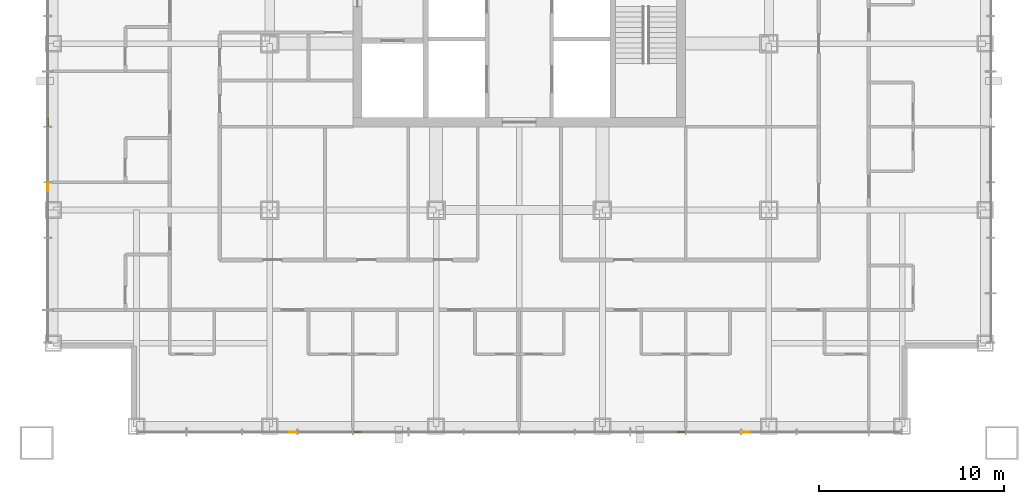
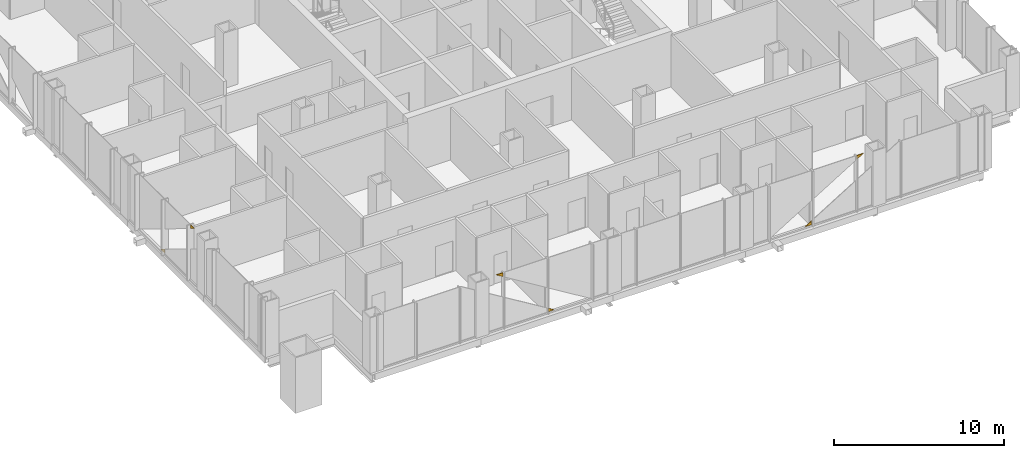
# One storey, part 14 of 17: 6 coverings.
"""IFC4 building model written with IfcOpenShell, lengths in metres."""

from ifc_helpers import new_model, si_unit, direction, frame, origin, place, context, subcontext, project, spatial, polyline, outline, extrude, material, layer, layer_set, type_object, element, save


model = new_model("IFC4")

# Units and contexts
model_context = context("Model", 3, precision=1e-05, world=origin(), true_north=direction((0.0, 1.0)))
body_context = subcontext(model_context, "Body", "Model", "MODEL_VIEW")
ifc_project = project(units=[si_unit("LENGTHUNIT", "METRE"), si_unit("AREAUNIT", "SQUARE_METRE"), si_unit("VOLUMEUNIT", "CUBIC_METRE"), si_unit("PLANEANGLEUNIT", "RADIAN"), si_unit("MASSUNIT", "GRAM", prefix="KILO")], contexts=[model_context])

# Site, building, storey
site_placement = place(None, origin())
site = spatial("IfcSite", under=ifc_project, at=site_placement, CompositionType="ELEMENT")
building_placement = place(site_placement, origin())
building = spatial("IfcBuilding", under=site, at=building_placement, Name="Malebo Sky Hospital", CompositionType="ELEMENT")
storey_placement = place(building_placement, frame((0.0, 0.0, 51.0)))
storey = spatial("IfcBuildingStorey", under=building, at=storey_placement, Name="L11", CompositionType="ELEMENT", Elevation=51.0)

# Coverings
ifc_material = material(Name="Anodised aluminium, natural silver insulated infill panel", Category="aluminium")
ifc_layer = layer(ifc_material, 0.0400390625)
ifc_layer_set = layer_set([ifc_layer], Name="BRACE INFILL PANEL 40")
covering_type = type_object("IfcCoveringType", Name="BRACE INFILL PANEL 40", PredefinedType="CLADDING", material=ifc_layer_set)
covering_1_placement = place(storey_placement, frame((34.5, 49.736572265625, 3.713134765625), z_axis=(0.0, 0.0, 1.0), x_axis=(0.0, 1.0, 0.0)))
element("IfcCovering", 1, at=covering_1_placement, inside=storey, type_object=covering_type, Name="Brace infill panel 3.1", PredefinedType="CLADDING", context=body_context, shape_type="SweptSolid", body=[
    extrude(outline(polyline([(0.225830078125, 0.0), (0.225830078125, 0.27685546875), (-0.225830078125, 0.27685546875), (0.225830078125, 0.0)])), frame((0.0, 0.02001953125, 0.0), z_axis=(0.0, -1.0, 0.0), x_axis=(1.0, 0.0, 0.0)), (0.0, 0.0, 1.0), 0.0400390625),
])
covering_2_placement = place(storey_placement, frame((34.5, 53.25, 0.10009765625), z_axis=(0.0, 0.0, 1.0), x_axis=(0.0, 1.0, 0.0)))
element("IfcCovering", 2, at=covering_2_placement, inside=storey, type_object=covering_type, Name="Brace infill panel 5.1", PredefinedType="CLADDING", context=body_context, shape_type="SweptSolid", body=[
    extrude(outline(polyline([(-0.212646484375, 0.0), (0.212646484375, 0.0), (-0.212646484375, 0.2607421875), (-0.212646484375, 0.0)])), frame((0.0, 0.02001953125, 0.0), z_axis=(0.0, -1.0, 0.0), x_axis=(1.0, 0.0, 0.0)), (0.0, 0.0, 1.0), 0.0400390625),
])
covering_3_placement = place(storey_placement, frame((72.263427734375, 36.5, 3.713134765625), z_axis=(0.0, 0.0, 1.0), x_axis=(-1.0, 0.0, 0.0)))
element("IfcCovering", 3, at=covering_3_placement, inside=storey, type_object=covering_type, Name="Brace infill panel 3.1", PredefinedType="CLADDING", context=body_context, shape_type="SweptSolid", body=[
    extrude(outline(polyline([(0.225830078125, 0.0), (0.225830078125, 0.27685546875), (-0.225830078125, 0.27685546875), (0.225830078125, 0.0)])), frame((0.0, 0.02001953125, 0.0), z_axis=(0.0, -1.0, 0.0), x_axis=(1.0, 0.0, 0.0)), (0.0, 0.0, 1.0), 0.0400390625),
])
covering_4_placement = place(storey_placement, frame((68.75, 36.5, 0.10009765625), z_axis=(0.0, 0.0, 1.0), x_axis=(-1.0, 0.0, 0.0)))
element("IfcCovering", 4, at=covering_4_placement, inside=storey, type_object=covering_type, Name="Brace infill panel 5.1", PredefinedType="CLADDING", context=body_context, shape_type="SweptSolid", body=[
    extrude(outline(polyline([(-0.212646484375, 0.0), (0.212646484375, 0.0), (-0.212646484375, 0.2607421875), (-0.212646484375, 0.0)])), frame((0.0, 0.02001953125, 0.0), z_axis=(0.0, -1.0, 0.0), x_axis=(1.0, 0.0, 0.0)), (0.0, 0.0, 1.0), 0.0400390625),
])
covering_5_placement = place(storey_placement, frame((51.25, 36.5, 0.10009765625), z_axis=(0.0, 0.0, 1.0), x_axis=(-1.0, 0.0, 0.0)))
element("IfcCovering", 5, at=covering_5_placement, inside=storey, type_object=covering_type, Name="Brace infill panel 10.1", PredefinedType="CLADDING", context=body_context, shape_type="SweptSolid", body=[
    extrude(outline(polyline([(-0.212646484375, 0.0), (0.212646484375, 0.0), (0.212646484375, 0.2607421875), (-0.212646484375, 0.0)])), frame((0.0, 0.02001953125, 0.0), z_axis=(0.0, -1.0, 0.0), x_axis=(1.0, 0.0, 0.0)), (0.0, 0.0, 1.0), 0.0400390625),
])
covering_6_placement = place(storey_placement, frame((47.736572265625, 36.5, 3.713134765625), z_axis=(0.0, 0.0, 1.0), x_axis=(-1.0, 0.0, 0.0)))
element("IfcCovering", 6, at=covering_6_placement, inside=storey, type_object=covering_type, Name="Brace infill panel 12.1", PredefinedType="CLADDING", context=body_context, shape_type="SweptSolid", body=[
    extrude(outline(polyline([(-0.225830078125, 0.0), (0.225830078125, 0.27685546875), (-0.225830078125, 0.27685546875), (-0.225830078125, 0.0)])), frame((0.0, 0.02001953125, 0.0), z_axis=(0.0, -1.0, 0.0), x_axis=(1.0, 0.0, 0.0)), (0.0, 0.0, 1.0), 0.0400390625),
])

save(model, "model.ifc")
